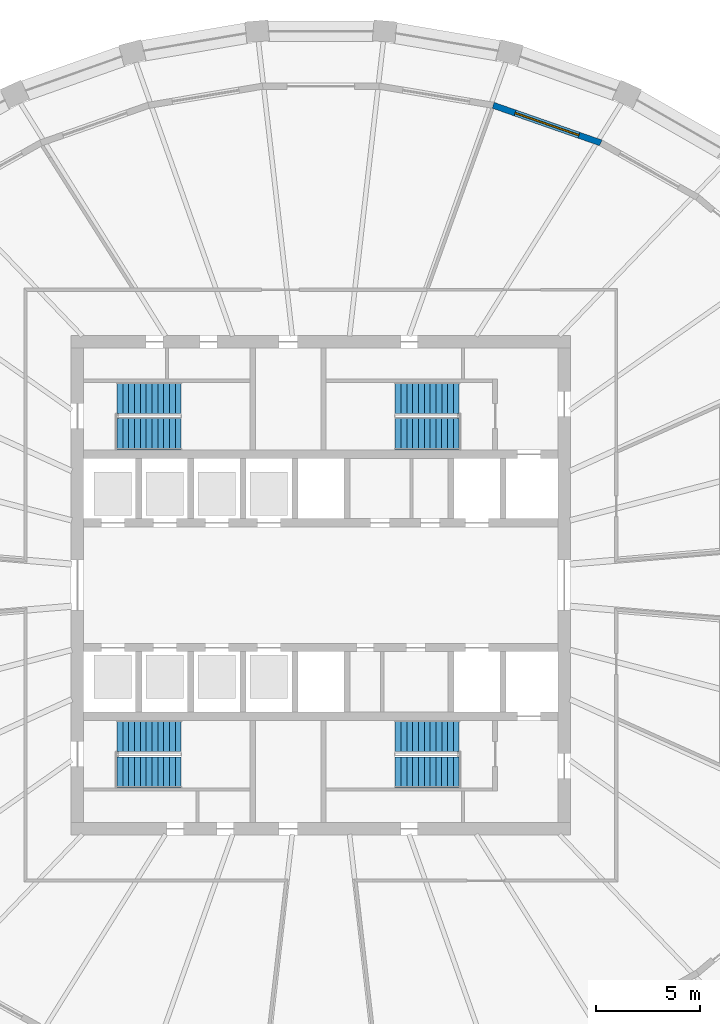
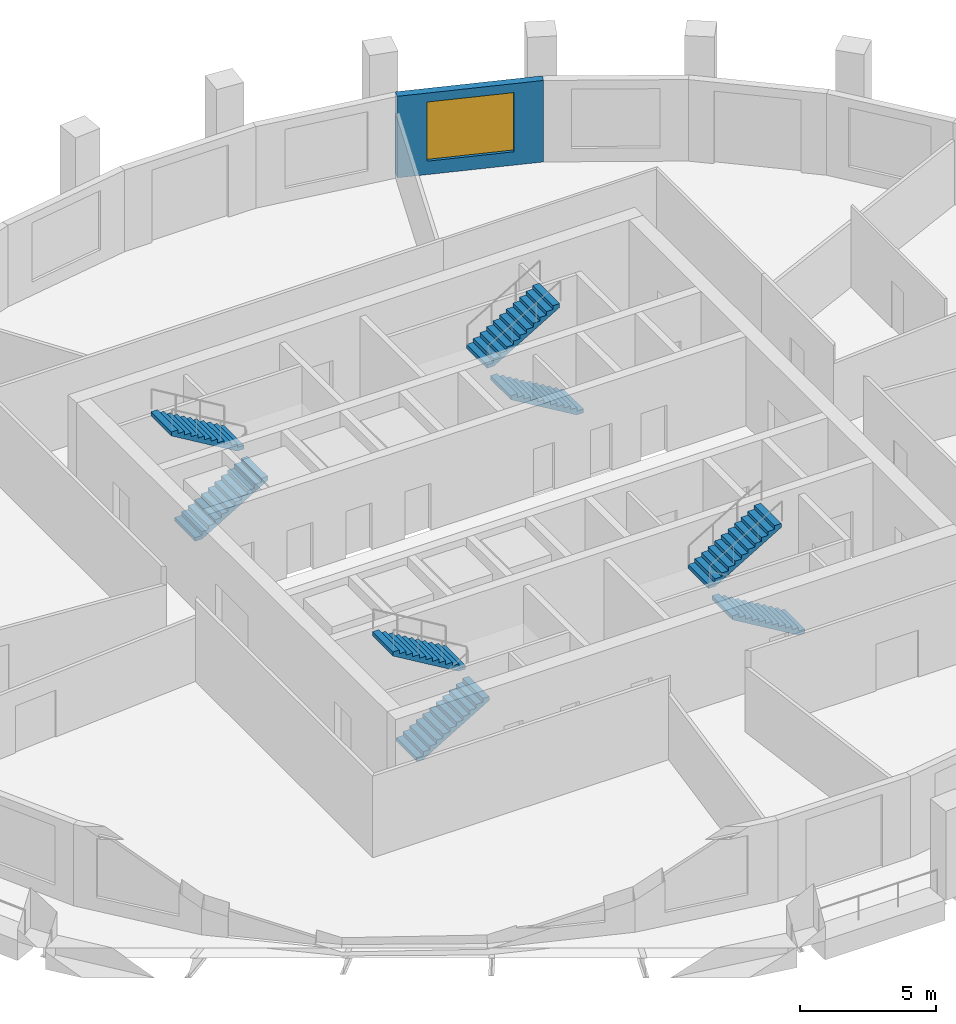
# One storey, part 7 of 10: 8 stair flights, 1 wall, 1 window, 1 opening, 4 elements without a shape of their own.
"""IFC4 building model written with IfcOpenShell, lengths in metres."""

from ifc_helpers import new_model, si_unit, direction, frame, frame_2d, origin, place, context, subcontext, project, spatial, polyline, rectangle, outline, extrude, material, layer, layer_set, type_object, element, fill, aggregate, save


model = new_model("IFC4")

# Units and contexts
model_context = context("Model", 3, precision=1e-05, world=origin(), true_north=direction((0.0, 1.0)))
body_context = subcontext(model_context, "Body", "Model", "MODEL_VIEW")
ifc_project = project(units=[si_unit("LENGTHUNIT", "METRE"), si_unit("AREAUNIT", "SQUARE_METRE"), si_unit("VOLUMEUNIT", "CUBIC_METRE"), si_unit("PLANEANGLEUNIT", "RADIAN"), si_unit("MASSUNIT", "GRAM", prefix="KILO")], contexts=[model_context])

# Site, building, storey
site_placement = place(None, origin())
site = spatial("IfcSite", under=ifc_project, at=site_placement, CompositionType="ELEMENT")
building_placement = place(site_placement, origin())
building = spatial("IfcBuilding", under=site, at=building_placement, Name="Halqa Exchange Tower", CompositionType="ELEMENT")
storey_placement = place(building_placement, frame((0.0, 0.0, 246.89990234375)))
storey = spatial("IfcBuildingStorey", under=building, at=storey_placement, Name="L57", CompositionType="ELEMENT", Elevation=246.89990234375)

# Wall, opening, window
ifc_material_1 = material(Name="Limestone cladding", Category="masonry")
ifc_layer_1 = layer(ifc_material_1, 0.0400390625)
ifc_material_2 = material(Name="Ventilated cavity")
ifc_layer_2 = layer(ifc_material_2, 0.030029296875, ventilated=True)
ifc_material_3 = material(Name="Mineral wool insulation")
ifc_layer_3 = layer(ifc_material_3, 0.10009765625)
ifc_material_4 = material(Name="Concrete C30/37", Category="concrete")
ifc_layer_4 = layer(ifc_material_4, 0.10009765625)
ifc_material_5 = material(Name="Internal plaster")
ifc_layer_5 = layer(ifc_material_5, 0.030029296875)
ifc_layer_set = layer_set([ifc_layer_1, ifc_layer_2, ifc_layer_3, ifc_layer_4, ifc_layer_5], Name="Stone-faced insulated wall 300")
wall_type = type_object("IfcWallType", Name="Stone-faced insulated wall 300", PredefinedType="STANDARD", material=ifc_layer_set)
wall_placement = place(storey_placement, frame((13.45458984375, 21.260986328125, 0.0), z_axis=(0.0, 0.0, 1.0), x_axis=(-0.944093730832, 0.329677156326, 0.0)))
wall = element("IfcWall", 1, at=wall_placement, inside=storey, type_object=wall_type, Name="Glass-line wall 6", PredefinedType="STANDARD", context=body_context, shape_type="SweptSolid", body=[
    extrude(outline(polyline([(-0.013427734375, -0.14990234375), (5.489013671875, -0.14990234375), (5.463623046875, 0.14990234375), (0.013427734375, 0.14990234375), (-0.013427734375, -0.14990234375)])), origin(), (0.0, 0.0, 1.0), 3.650146484375),
])
opening_placement = place(wall_placement, frame((1.113037109375, 0.0, 0.60009765625)))
opening = element("IfcOpeningElement", 2, at=opening_placement, cuts=wall, Name="Opening W-F3-06", PredefinedType="OPENING", context=body_context, shape_type="SweptSolid", body=[
    extrude(rectangle(XDim=3.25, YDim=2.64990234375, at=frame_2d((1.625, 1.324951171875))), frame((0.0, 0.162109375, 0.0), z_axis=(0.0, -1.0, 0.0), x_axis=(1.0, 0.0, 0.0)), (0.0, 0.0, 1.0), 0.323974609375),
])
ifc_material_6 = material(Name="Clear low-emissivity glass in aluminium frame", Category="aluminium")
window_type = type_object("IfcWindowType", Name="Fixed clear glazed window 3250 x 2650", PartitioningType="TRIPLE_PANEL_VERTICAL", PredefinedType="WINDOW", material=ifc_material_6)
window_placement = place(opening_placement, origin())
window = element("IfcWindow", 3, at=window_placement, inside=storey, type_object=window_type, Name="Window 3", OverallHeight=2.64990234375, OverallWidth=3.25, PartitioningType="TRIPLE_PANEL_VERTICAL", PredefinedType="WINDOW", context=body_context, shape_type="SweptSolid", body=[
    extrude(rectangle(XDim=3.25, YDim=2.64990234375, at=frame_2d((1.625, 1.324951171875))), frame((0.0, 0.030029296875, 0.0), z_axis=(0.0, -1.0, 0.0), x_axis=(1.0, 0.0, 0.0)), (0.0, 0.0, 1.0), 0.06005859375),
])
fill(opening, window)

# Stair, stair flights
stair_type = type_object("IfcStairType", Name="Exit stair 1500 wide", PredefinedType="HALF_TURN_STAIR", material=ifc_material_4)
stair_1_placement = place(storey_placement, origin())
stair_1 = element("IfcStair", 4, at=stair_1_placement, inside=storey, type_object=stair_type, Name="Exit stair ST1", PredefinedType="HALF_TURN_STAIR")
stair_flight_type = type_object("IfcStairFlightType", Name="Stair flight 1500 wide", PredefinedType="STRAIGHT", material=ifc_material_4)
stair_flight_1_placement = place(storey_placement, frame((-9.800048828125, 7.25, 0.0), z_axis=(0.0, 0.0, 1.0), x_axis=(1.0, 0.0, 0.0)))
stair_flight_1 = element("IfcStairFlight", 5, at=stair_flight_1_placement, type_object=stair_flight_type, Name="ST1 flight 1", NumberOfRisers=12, NumberOfTreads=11, PredefinedType="STRAIGHT", RiserHeight=0.166666667, TreadLength=0.28, context=body_context, shape_type="SweptSolid", body=[
    extrude(outline(polyline([(0.0, 0.0), (0.0, 0.166748046875), (0.280029296875, 0.166748046875), (0.280029296875, 0.333251953125), (0.56005859375, 0.333251953125), (0.56005859375, 0.5), (0.840087890625, 0.5), (0.840087890625, 0.666748046875), (1.1201171875, 0.666748046875), (1.1201171875, 0.833251953125), (1.39990234375, 0.833251953125), (1.39990234375, 1.0), (1.679931640625, 1.0), (1.679931640625, 1.166748046875), (1.9599609375, 1.166748046875), (1.9599609375, 1.333251953125), (2.239990234375, 1.333251953125), (2.239990234375, 1.5), (2.52001953125, 1.5), (2.52001953125, 1.666748046875), (2.800048828125, 1.666748046875), (2.800048828125, 1.833251953125), (3.080078125, 1.833251953125), (3.080078125, 2.0), (3.080078125, 1.658935546875), (0.29296875, 0.0), (0.0, 0.0)])), frame((0.0, 0.75, 0.0), z_axis=(0.0, -1.0, 0.0), x_axis=(1.0, 0.0, 0.0)), (0.0, 0.0, 1.0), 1.5),
])
stair_flight_2_placement = place(storey_placement, frame((-6.719970703125, 9.0, 2.0), z_axis=(0.0, 0.0, 1.0), x_axis=(-1.0, 0.0, 0.0)))
stair_flight_2 = element("IfcStairFlight", 6, at=stair_flight_2_placement, type_object=stair_flight_type, Name="ST1 flight 2", NumberOfRisers=12, NumberOfTreads=11, PredefinedType="STRAIGHT", RiserHeight=0.166666667, TreadLength=0.28, context=body_context, shape_type="SweptSolid", body=[
    extrude(outline(polyline([(0.0, 0.0), (0.0, 0.166748046875), (0.280029296875, 0.166748046875), (0.280029296875, 0.333251953125), (0.56005859375, 0.333251953125), (0.56005859375, 0.5), (0.840087890625, 0.5), (0.840087890625, 0.666748046875), (1.1201171875, 0.666748046875), (1.1201171875, 0.833251953125), (1.39990234375, 0.833251953125), (1.39990234375, 1.0), (1.679931640625, 1.0), (1.679931640625, 1.166748046875), (1.9599609375, 1.166748046875), (1.9599609375, 1.333251953125), (2.239990234375, 1.333251953125), (2.239990234375, 1.5), (2.52001953125, 1.5), (2.52001953125, 1.666748046875), (2.800048828125, 1.666748046875), (2.800048828125, 1.833251953125), (3.080078125, 1.833251953125), (3.080078125, 2.0), (3.080078125, 1.658935546875), (0.29296875, 0.0), (0.0, 0.0)])), frame((0.0, 0.75, 0.0), z_axis=(0.0, -1.0, 0.0), x_axis=(1.0, 0.0, 0.0)), (0.0, 0.0, 1.0), 1.5),
])
aggregate(stair_1, [stair_flight_1, stair_flight_2])

stair_2_placement = place(storey_placement, origin())
stair_2 = element("IfcStair", 7, at=stair_2_placement, inside=storey, type_object=stair_type, Name="Exit stair ST2", PredefinedType="HALF_TURN_STAIR")
stair_flight_3_placement = place(storey_placement, frame((6.64990234375, 7.25, 0.0), z_axis=(0.0, 0.0, 1.0), x_axis=(-1.0, 0.0, 0.0)))
stair_flight_3 = element("IfcStairFlight", 8, at=stair_flight_3_placement, type_object=stair_flight_type, Name="ST2 flight 1", NumberOfRisers=12, NumberOfTreads=11, PredefinedType="STRAIGHT", RiserHeight=0.166666667, TreadLength=0.28, context=body_context, shape_type="SweptSolid", body=[
    extrude(outline(polyline([(0.0, 0.0), (0.0, 0.166748046875), (0.280029296875, 0.166748046875), (0.280029296875, 0.333251953125), (0.56005859375, 0.333251953125), (0.56005859375, 0.5), (0.840087890625, 0.5), (0.840087890625, 0.666748046875), (1.1201171875, 0.666748046875), (1.1201171875, 0.833251953125), (1.39990234375, 0.833251953125), (1.39990234375, 1.0), (1.679931640625, 1.0), (1.679931640625, 1.166748046875), (1.9599609375, 1.166748046875), (1.9599609375, 1.333251953125), (2.239990234375, 1.333251953125), (2.239990234375, 1.5), (2.52001953125, 1.5), (2.52001953125, 1.666748046875), (2.800048828125, 1.666748046875), (2.800048828125, 1.833251953125), (3.080078125, 1.833251953125), (3.080078125, 2.0), (3.080078125, 1.658935546875), (0.29296875, 0.0), (0.0, 0.0)])), frame((0.0, 0.75, 0.0), z_axis=(0.0, -1.0, 0.0), x_axis=(1.0, 0.0, 0.0)), (0.0, 0.0, 1.0), 1.5),
])
stair_flight_4_placement = place(storey_placement, frame((3.570068359375, 9.0, 2.0), z_axis=(0.0, 0.0, 1.0), x_axis=(1.0, 0.0, 0.0)))
stair_flight_4 = element("IfcStairFlight", 9, at=stair_flight_4_placement, type_object=stair_flight_type, Name="ST2 flight 2", NumberOfRisers=12, NumberOfTreads=11, PredefinedType="STRAIGHT", RiserHeight=0.166666667, TreadLength=0.28, context=body_context, shape_type="SweptSolid", body=[
    extrude(outline(polyline([(0.0, 0.0), (0.0, 0.166748046875), (0.280029296875, 0.166748046875), (0.280029296875, 0.333251953125), (0.56005859375, 0.333251953125), (0.56005859375, 0.5), (0.840087890625, 0.5), (0.840087890625, 0.666748046875), (1.1201171875, 0.666748046875), (1.1201171875, 0.833251953125), (1.39990234375, 0.833251953125), (1.39990234375, 1.0), (1.679931640625, 1.0), (1.679931640625, 1.166748046875), (1.9599609375, 1.166748046875), (1.9599609375, 1.333251953125), (2.239990234375, 1.333251953125), (2.239990234375, 1.5), (2.52001953125, 1.5), (2.52001953125, 1.666748046875), (2.800048828125, 1.666748046875), (2.800048828125, 1.833251953125), (3.080078125, 1.833251953125), (3.080078125, 2.0), (3.080078125, 1.658935546875), (0.29296875, 0.0), (0.0, 0.0)])), frame((0.0, 0.75, 0.0), z_axis=(0.0, -1.0, 0.0), x_axis=(1.0, 0.0, 0.0)), (0.0, 0.0, 1.0), 1.5),
])
aggregate(stair_2, [stair_flight_3, stair_flight_4])

stair_3_placement = place(storey_placement, origin())
stair_3 = element("IfcStair", 10, at=stair_3_placement, inside=storey, type_object=stair_type, Name="Exit stair ST3", PredefinedType="HALF_TURN_STAIR")
stair_flight_5_placement = place(storey_placement, frame((-9.800048828125, -9.0, 0.0), z_axis=(0.0, 0.0, 1.0), x_axis=(1.0, 0.0, 0.0)))
stair_flight_5 = element("IfcStairFlight", 11, at=stair_flight_5_placement, type_object=stair_flight_type, Name="ST3 flight 1", NumberOfRisers=12, NumberOfTreads=11, PredefinedType="STRAIGHT", RiserHeight=0.166666667, TreadLength=0.28, context=body_context, shape_type="SweptSolid", body=[
    extrude(outline(polyline([(0.0, 0.0), (0.0, 0.166748046875), (0.280029296875, 0.166748046875), (0.280029296875, 0.333251953125), (0.56005859375, 0.333251953125), (0.56005859375, 0.5), (0.840087890625, 0.5), (0.840087890625, 0.666748046875), (1.1201171875, 0.666748046875), (1.1201171875, 0.833251953125), (1.39990234375, 0.833251953125), (1.39990234375, 1.0), (1.679931640625, 1.0), (1.679931640625, 1.166748046875), (1.9599609375, 1.166748046875), (1.9599609375, 1.333251953125), (2.239990234375, 1.333251953125), (2.239990234375, 1.5), (2.52001953125, 1.5), (2.52001953125, 1.666748046875), (2.800048828125, 1.666748046875), (2.800048828125, 1.833251953125), (3.080078125, 1.833251953125), (3.080078125, 2.0), (3.080078125, 1.658935546875), (0.29296875, 0.0), (0.0, 0.0)])), frame((0.0, 0.75, 0.0), z_axis=(0.0, -1.0, 0.0), x_axis=(1.0, 0.0, 0.0)), (0.0, 0.0, 1.0), 1.5),
])
stair_flight_6_placement = place(storey_placement, frame((-6.719970703125, -7.25, 2.0), z_axis=(0.0, 0.0, 1.0), x_axis=(-1.0, 0.0, 0.0)))
stair_flight_6 = element("IfcStairFlight", 12, at=stair_flight_6_placement, type_object=stair_flight_type, Name="ST3 flight 2", NumberOfRisers=12, NumberOfTreads=11, PredefinedType="STRAIGHT", RiserHeight=0.166666667, TreadLength=0.28, context=body_context, shape_type="SweptSolid", body=[
    extrude(outline(polyline([(0.0, 0.0), (0.0, 0.166748046875), (0.280029296875, 0.166748046875), (0.280029296875, 0.333251953125), (0.56005859375, 0.333251953125), (0.56005859375, 0.5), (0.840087890625, 0.5), (0.840087890625, 0.666748046875), (1.1201171875, 0.666748046875), (1.1201171875, 0.833251953125), (1.39990234375, 0.833251953125), (1.39990234375, 1.0), (1.679931640625, 1.0), (1.679931640625, 1.166748046875), (1.9599609375, 1.166748046875), (1.9599609375, 1.333251953125), (2.239990234375, 1.333251953125), (2.239990234375, 1.5), (2.52001953125, 1.5), (2.52001953125, 1.666748046875), (2.800048828125, 1.666748046875), (2.800048828125, 1.833251953125), (3.080078125, 1.833251953125), (3.080078125, 2.0), (3.080078125, 1.658935546875), (0.29296875, 0.0), (0.0, 0.0)])), frame((0.0, 0.75, 0.0), z_axis=(0.0, -1.0, 0.0), x_axis=(1.0, 0.0, 0.0)), (0.0, 0.0, 1.0), 1.5),
])
aggregate(stair_3, [stair_flight_5, stair_flight_6])

stair_4_placement = place(storey_placement, origin())
stair_4 = element("IfcStair", 13, at=stair_4_placement, inside=storey, type_object=stair_type, Name="Exit stair ST4", PredefinedType="HALF_TURN_STAIR")
stair_flight_7_placement = place(storey_placement, frame((6.64990234375, -9.0, 0.0), z_axis=(0.0, 0.0, 1.0), x_axis=(-1.0, 0.0, 0.0)))
stair_flight_7 = element("IfcStairFlight", 14, at=stair_flight_7_placement, type_object=stair_flight_type, Name="ST4 flight 1", NumberOfRisers=12, NumberOfTreads=11, PredefinedType="STRAIGHT", RiserHeight=0.166666667, TreadLength=0.28, context=body_context, shape_type="SweptSolid", body=[
    extrude(outline(polyline([(0.0, 0.0), (0.0, 0.166748046875), (0.280029296875, 0.166748046875), (0.280029296875, 0.333251953125), (0.56005859375, 0.333251953125), (0.56005859375, 0.5), (0.840087890625, 0.5), (0.840087890625, 0.666748046875), (1.1201171875, 0.666748046875), (1.1201171875, 0.833251953125), (1.39990234375, 0.833251953125), (1.39990234375, 1.0), (1.679931640625, 1.0), (1.679931640625, 1.166748046875), (1.9599609375, 1.166748046875), (1.9599609375, 1.333251953125), (2.239990234375, 1.333251953125), (2.239990234375, 1.5), (2.52001953125, 1.5), (2.52001953125, 1.666748046875), (2.800048828125, 1.666748046875), (2.800048828125, 1.833251953125), (3.080078125, 1.833251953125), (3.080078125, 2.0), (3.080078125, 1.658935546875), (0.29296875, 0.0), (0.0, 0.0)])), frame((0.0, 0.75, 0.0), z_axis=(0.0, -1.0, 0.0), x_axis=(1.0, 0.0, 0.0)), (0.0, 0.0, 1.0), 1.5),
])
stair_flight_8_placement = place(storey_placement, frame((3.570068359375, -7.25, 2.0), z_axis=(0.0, 0.0, 1.0), x_axis=(1.0, 0.0, 0.0)))
stair_flight_8 = element("IfcStairFlight", 15, at=stair_flight_8_placement, type_object=stair_flight_type, Name="ST4 flight 2", NumberOfRisers=12, NumberOfTreads=11, PredefinedType="STRAIGHT", RiserHeight=0.166666667, TreadLength=0.28, context=body_context, shape_type="SweptSolid", body=[
    extrude(outline(polyline([(0.0, 0.0), (0.0, 0.166748046875), (0.280029296875, 0.166748046875), (0.280029296875, 0.333251953125), (0.56005859375, 0.333251953125), (0.56005859375, 0.5), (0.840087890625, 0.5), (0.840087890625, 0.666748046875), (1.1201171875, 0.666748046875), (1.1201171875, 0.833251953125), (1.39990234375, 0.833251953125), (1.39990234375, 1.0), (1.679931640625, 1.0), (1.679931640625, 1.166748046875), (1.9599609375, 1.166748046875), (1.9599609375, 1.333251953125), (2.239990234375, 1.333251953125), (2.239990234375, 1.5), (2.52001953125, 1.5), (2.52001953125, 1.666748046875), (2.800048828125, 1.666748046875), (2.800048828125, 1.833251953125), (3.080078125, 1.833251953125), (3.080078125, 2.0), (3.080078125, 1.658935546875), (0.29296875, 0.0), (0.0, 0.0)])), frame((0.0, 0.75, 0.0), z_axis=(0.0, -1.0, 0.0), x_axis=(1.0, 0.0, 0.0)), (0.0, 0.0, 1.0), 1.5),
])
aggregate(stair_4, [stair_flight_7, stair_flight_8])

save(model, "model.ifc")
